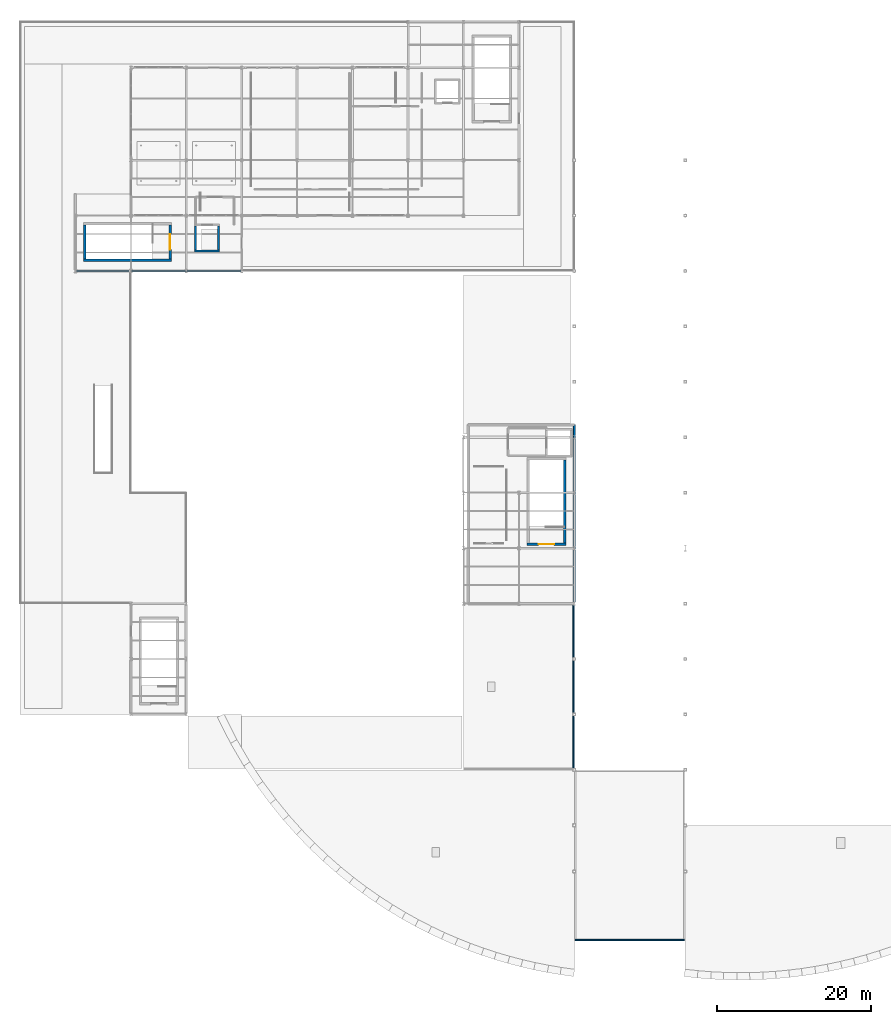
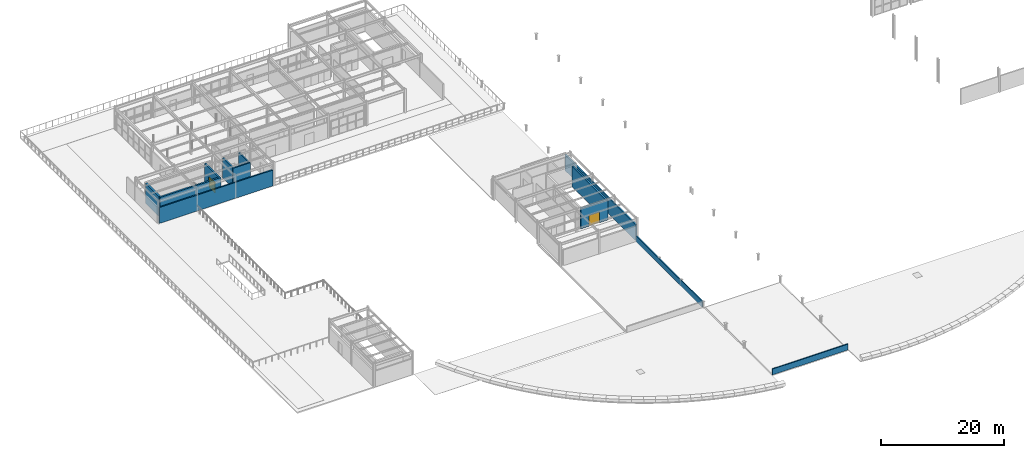
# One storey, part 34 of 41: 12 walls, 2 doors, 2 openings.
"""IFC4 building model written with IfcOpenShell, lengths in metres."""

from ifc_helpers import new_model, si_unit, direction, frame, frame_2d, origin, place, context, subcontext, project, spatial, rectangle, extrude, material, layer, layer_set, type_object, element, fill, save


model = new_model("IFC4")

# Units and contexts
model_context = context("Model", 3, precision=1e-05, world=origin(), true_north=direction((0.0, 1.0)))
body_context = subcontext(model_context, "Body", "Model", "MODEL_VIEW")
ifc_project = project(units=[si_unit("LENGTHUNIT", "METRE"), si_unit("AREAUNIT", "SQUARE_METRE"), si_unit("VOLUMEUNIT", "CUBIC_METRE"), si_unit("PLANEANGLEUNIT", "RADIAN"), si_unit("MASSUNIT", "GRAM", prefix="KILO")], contexts=[model_context])

# Site, building, storey
site_placement = place(None, origin())
site = spatial("IfcSite", under=ifc_project, at=site_placement, CompositionType="ELEMENT")
building_placement = place(site_placement, origin())
building = spatial("IfcBuilding", under=site, at=building_placement, Name="Solvadek Multi-Sports Hall", CompositionType="ELEMENT")
storey_placement = place(building_placement, frame((0.0, 0.0, 14.39990234375)))
storey = spatial("IfcBuildingStorey", under=building, at=storey_placement, Name="L03", CompositionType="ELEMENT", Elevation=14.39990234375)

# Walls
ifc_material_1 = material(Name="Dressed honey-cream limestone ashlar", Category="masonry")
ifc_layer_1 = layer(ifc_material_1, 0.25, Name="Dressed honey-cream limestone ashlar")
ifc_layer_set_1 = layer_set([ifc_layer_1], Name="Dressed honey-cream limestone ashlar")
wall_type_1 = type_object("IfcWallType", Name="ENV-WAL-EXT250", PredefinedType="SOLIDWALL", material=ifc_layer_set_1)
wall_1_placement = place(storey_placement, frame((7.35400390625, 78.0, 0.0), z_axis=(0.0, 0.0, 1.0), x_axis=(1.0, 0.0, 0.0)))
element("IfcWall", 1, at=wall_1_placement, inside=storey, type_object=wall_type_1, Name="L03 Exterior Masonry Wall #297", PredefinedType="SOLIDWALL", context=body_context, shape_type="SweptSolid", body=[
    extrude(rectangle(XDim=21.2919921875, YDim=0.25, at=frame_2d((10.64599609375, 0.0))), origin(), (0.0, 0.0, 1.0), 3.150146484375),
])
wall_2_placement = place(storey_placement, frame((72.0, 35.00390625, 0.0), z_axis=(0.0, 0.0, 1.0), x_axis=(0.0, 1.0, 0.0)))
element("IfcWall", 2, at=wall_2_placement, inside=storey, type_object=wall_type_1, Name="L03 Exterior Masonry Wall #303", PredefinedType="SOLIDWALL", context=body_context, shape_type="SweptSolid", body=[
    extrude(rectangle(XDim=22.99609375, YDim=0.25, at=frame_2d((11.498046875, 0.0))), origin(), (0.0, 0.0, 1.0), 3.150146484375),
])
ifc_layer_2 = layer(ifc_material_1, 0.199951171875, Name="Dressed honey-cream limestone ashlar")
ifc_layer_set_2 = layer_set([ifc_layer_2], Name="Dressed honey-cream limestone ashlar")
wall_type_2 = type_object("IfcWallType", Name="ENV-WAL-PAR200", PredefinedType="PARAPET", material=ifc_layer_set_2)
wall_3_placement = place(storey_placement, frame((72.10009765625, -8.89990234375, 0.0), z_axis=(0.0, 0.0, 1.0), x_axis=(1.0, 0.0, 0.0)))
element("IfcWall", 3, at=wall_3_placement, inside=storey, type_object=wall_type_2, Name="L03 Roof Parapet Wall #311", PredefinedType="PARAPET", context=body_context, shape_type="SweptSolid", body=[
    extrude(rectangle(XDim=14.199951171875, YDim=0.199951171875, at=frame_2d((7.10009765625, 0.0))), origin(), (0.0, 0.0, 1.0), 1.150146484375),
])
wall_4_placement = place(storey_placement, frame((71.89990234375, 13.300048828125, 0.0), z_axis=(0.0, 0.0, 1.0), x_axis=(0.0, 1.0, 0.0)))
element("IfcWall", 4, at=wall_4_placement, inside=storey, type_object=wall_type_2, Name="L03 Roof Parapet Wall #314", PredefinedType="PARAPET", context=body_context, shape_type="SweptSolid", body=[
    extrude(rectangle(XDim=21.39990234375, YDim=0.199951171875, at=frame_2d((10.699951171875, 0.0))), origin(), (0.0, 0.0, 1.0), 1.150146484375),
])
ifc_material_2 = material(Name="Concrete M40", Category="concrete")
ifc_layer_3 = layer(ifc_material_2, 0.260009765625, Name="Concrete M40")
ifc_layer_set_3 = layer_set([ifc_layer_3], Name="Concrete M40")
wall_type_3 = type_object("IfcWallType", Name="INT-WAL-SHR260", PredefinedType="SHEAR", material=ifc_layer_set_3)
wall_5_placement = place(storey_placement, frame((22.669921875, 80.60009765625, 0.0), z_axis=(0.0, 0.0, 1.0), x_axis=(1.0, 0.0, 0.0)))
element("IfcWall", 5, at=wall_5_placement, inside=storey, type_object=wall_type_3, Name="Lift LF-01 Shaft Shear Wall L03 south", PredefinedType="SHEAR", context=body_context, shape_type="SweptSolid", body=[
    extrude(rectangle(XDim=3.260009765625, YDim=0.260009765625, at=frame_2d((1.6298828125, 0.0))), origin(), (0.0, 0.0, 1.0), 4.0),
])
for number, where, z_axis, x_axis, name in (
    (6, (22.800048828125, 80.72998046875, 0.0), (0.0, 0.0, 1.0), (0.0, 1.0, 0.0), "Lift LF-01 Shaft Shear Wall L03 west"),
    (7, (25.800048828125, 80.72998046875, 0.0), (0.0, 0.0, 1.0), (0.0, 1.0, 0.0), "Lift LF-01 Shaft Shear Wall L03 east"),
):
    element("IfcWall", number, at=place(storey_placement, frame(where, z_axis=z_axis, x_axis=x_axis)), inside=storey, type_object=wall_type_3, Name=name, PredefinedType="SHEAR", context=body_context, shape_type="SweptSolid", body=[
        extrude(rectangle(XDim=3.14013671875, YDim=0.260009765625, at=frame_2d((1.570068359375, 0.0))), origin(), (0.0, 0.0, 1.0), 4.0),
    ])
ifc_layer_4 = layer(ifc_material_2, 0.320068359375, Name="Concrete M40")
ifc_layer_set_4 = layer_set([ifc_layer_4], Name="Concrete M40")
wall_type_4 = type_object("IfcWallType", Name="INT-WAL-SHR320", PredefinedType="SHEAR", material=ifc_layer_set_4)
wall_6_placement = place(storey_placement, frame((8.239990234375, 79.39990234375, 0.0), z_axis=(0.0, 0.0, 1.0), x_axis=(1.0, 0.0, 0.0)))
element("IfcWall", 8, at=wall_6_placement, inside=storey, type_object=wall_type_4, Name="L03 Stair ST-02 Shear Wall S", PredefinedType="SHEAR", context=body_context, shape_type="SweptSolid", body=[
    extrude(rectangle(XDim=11.419921875, YDim=0.320068359375, at=frame_2d((5.7099609375, 0.0))), origin(), (0.0, 0.0, 1.0), 4.0),
])
wall_7_placement = place(storey_placement, frame((8.39990234375, 79.56005859375, 0.0), z_axis=(0.0, 0.0, 1.0), x_axis=(0.0, 1.0, 0.0)))
element("IfcWall", 9, at=wall_7_placement, inside=storey, type_object=wall_type_4, Name="L03 Stair ST-02 Shear Wall W", PredefinedType="SHEAR", context=body_context, shape_type="SweptSolid", body=[
    extrude(rectangle(XDim=4.429931640625, YDim=0.320068359375, at=frame_2d((2.21484375, 0.0))), origin(), (0.0, 0.0, 1.0), 4.0),
])

# Wall, opening, door
wall_8_placement = place(storey_placement, frame((19.5, 79.56005859375, 0.0), z_axis=(0.0, 0.0, 1.0), x_axis=(0.0, 1.0, 0.0)))
wall_8 = element("IfcWall", 10, at=wall_8_placement, inside=storey, type_object=wall_type_4, Name="L03 Stair ST-02 Shear Wall E", PredefinedType="SHEAR", context=body_context, shape_type="SweptSolid", body=[
    extrude(rectangle(XDim=4.429931640625, YDim=0.320068359375, at=frame_2d((2.21484375, 0.0))), origin(), (0.0, 0.0, 1.0), 4.0),
])
opening_1_placement = place(wall_8_placement, frame((1.215087890625, 0.0, 0.0)))
opening_1 = element("IfcOpeningElement", 11, at=opening_1_placement, cuts=wall_8, Name="Opening FD120", PredefinedType="OPENING", context=body_context, shape_type="SweptSolid", body=[
    extrude(rectangle(XDim=2.0, YDim=2.14990234375, at=frame_2d((1.0, 1.074951171875))), frame((0.0, 0.169921875, 0.0), z_axis=(0.0, -1.0, 0.0), x_axis=(1.0, 0.0, 0.0)), (0.0, 0.0, 1.0), 0.340087890625),
])
ifc_material_3 = material(Name="Steel E250 (250 MPa)", Category="steel")
door_type = type_object("IfcDoorType", Name="INT-DOR-FD200X215", OperationType="DOUBLE_DOOR_SINGLE_SWING", PredefinedType="DOOR", material=ifc_material_3)
door_1_placement = place(opening_1_placement, origin())
door_1 = element("IfcDoor", 12, at=door_1_placement, inside=storey, type_object=door_type, Name="L03 Stair ST-02 Fire Door", OperationType="DOUBLE_DOOR_SINGLE_SWING", OverallHeight=2.14990234375, OverallWidth=2.0, PredefinedType="DOOR", context=body_context, shape_type="SweptSolid", body=[
    extrude(rectangle(XDim=2.0, YDim=2.14990234375, at=frame_2d((1.0, 1.074951171875))), frame((0.0, 0.02490234375, 0.0), z_axis=(0.0, -1.0, 0.0), x_axis=(1.0, 0.0, 0.0)), (0.0, 0.0, 1.0), 0.050048828125),
])
fill(opening_1, door_1)

wall_9_placement = place(storey_placement, frame((65.840087890625, 42.5, 0.0), z_axis=(0.0, 0.0, 1.0), x_axis=(1.0, 0.0, 0.0)))
wall_9 = element("IfcWall", 13, at=wall_9_placement, inside=storey, type_object=wall_type_4, Name="L03 Stair ST-04 Shear Wall S", PredefinedType="SHEAR", context=body_context, shape_type="SweptSolid", body=[
    extrude(rectangle(XDim=5.06982421875, YDim=0.320068359375, at=frame_2d((2.534912109375, 0.0))), origin(), (0.0, 0.0, 1.0), 4.0),
])
opening_2_placement = place(wall_9_placement, frame((1.534912109375, 0.0, 0.0)))
opening_2 = element("IfcOpeningElement", 14, at=opening_2_placement, cuts=wall_9, Name="Opening FD120", PredefinedType="OPENING", context=body_context, shape_type="SweptSolid", body=[
    extrude(rectangle(XDim=2.0, YDim=2.14990234375, at=frame_2d((1.0, 1.074951171875))), frame((0.0, 0.169921875, 0.0), z_axis=(0.0, -1.0, 0.0), x_axis=(1.0, 0.0, 0.0)), (0.0, 0.0, 1.0), 0.340087890625),
])
door_2_placement = place(opening_2_placement, origin())
door_2 = element("IfcDoor", 15, at=door_2_placement, inside=storey, type_object=door_type, Name="L03 Stair ST-04 Fire Door", OperationType="DOUBLE_DOOR_SINGLE_SWING", OverallHeight=2.14990234375, OverallWidth=2.0, PredefinedType="DOOR", context=body_context, shape_type="SweptSolid", body=[
    extrude(rectangle(XDim=2.0, YDim=2.14990234375, at=frame_2d((1.0, 1.074951171875))), frame((0.0, 0.02490234375, 0.0), z_axis=(0.0, -1.0, 0.0), x_axis=(1.0, 0.0, 0.0)), (0.0, 0.0, 1.0), 0.050048828125),
])
fill(opening_2, door_2)

# Wall
wall_10_placement = place(storey_placement, frame((70.75, 42.659912109375, 0.0), z_axis=(0.0, 0.0, 1.0), x_axis=(0.0, 1.0, 0.0)))
element("IfcWall", 16, at=wall_10_placement, inside=storey, type_object=wall_type_4, Name="L03 Stair ST-04 Shear Wall E", PredefinedType="SHEAR", context=body_context, shape_type="SweptSolid", body=[
    extrude(rectangle(XDim=10.780029296875, YDim=0.320068359375, at=frame_2d((5.39013671875, 0.0))), origin(), (0.0, 0.0, 1.0), 4.0),
])

save(model, "model.ifc")
